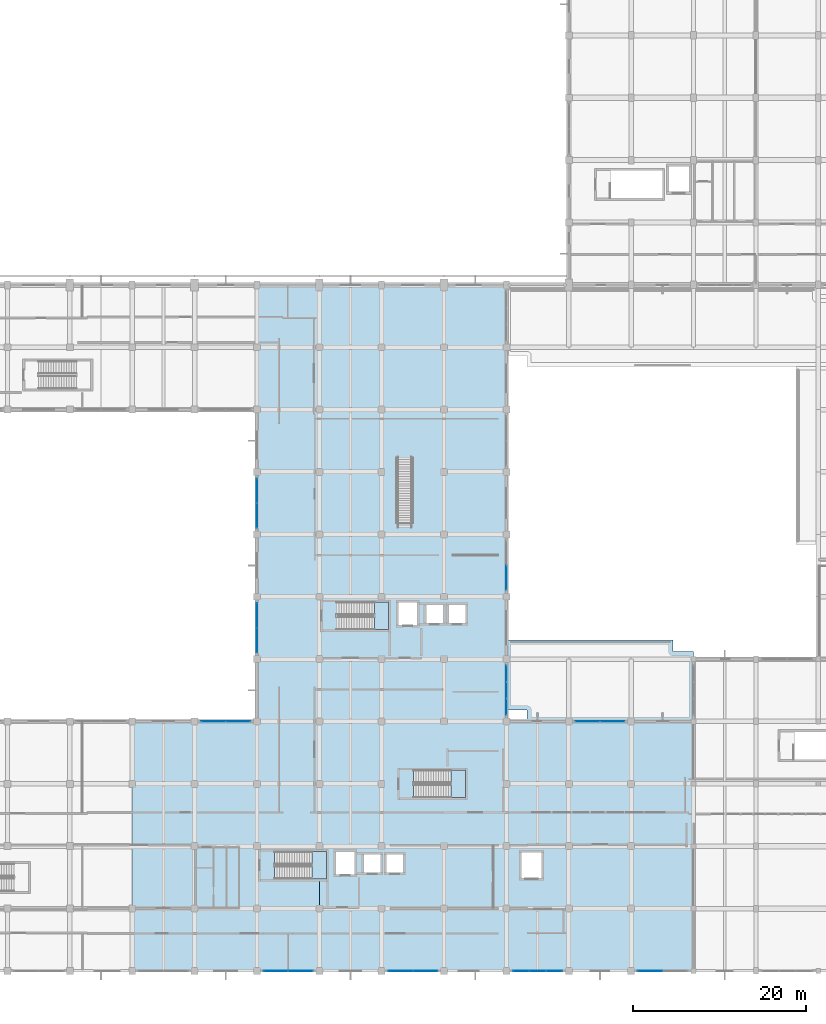
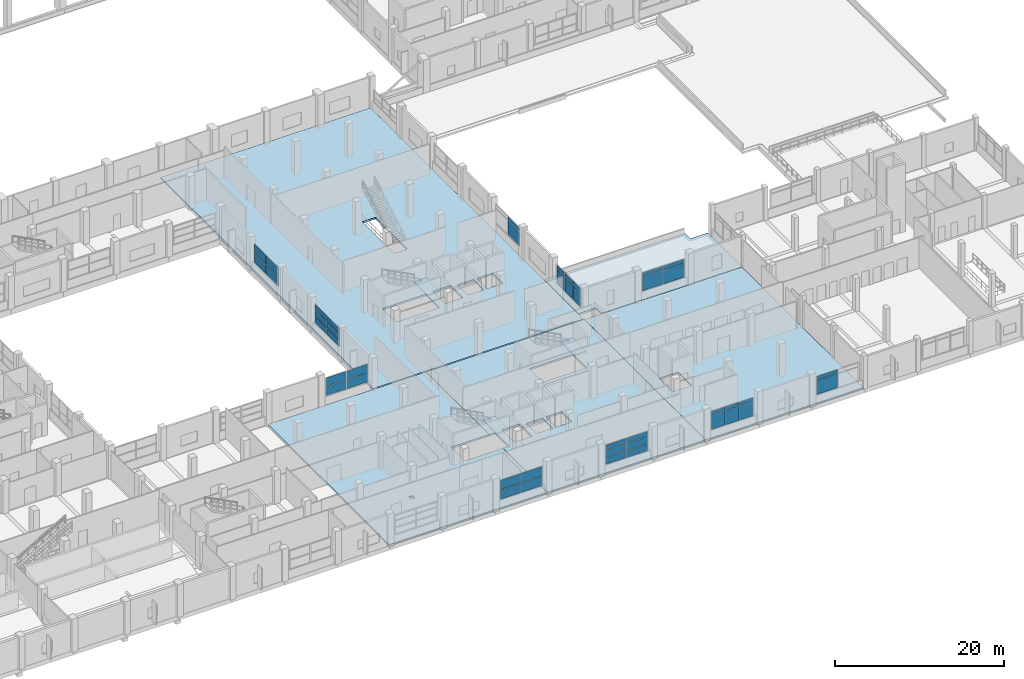
# One storey, part 112 of 140: 44 plates, 8 slabs, 13 elements without a shape of their own.
"""IFC4 building model written with IfcOpenShell, lengths in metres."""

from ifc_helpers import new_model, si_unit, direction, frame, origin, origin_2d, place, context, subcontext, project, spatial, polyline, rectangle, outline, extrude, material, layer, layer_set, type_object, element, aggregate, save


model = new_model("IFC4")

# Units and contexts
model_context = context("Model", 3, precision=1e-05, world=origin(), true_north=direction((0.0, 1.0)))
body_context = subcontext(model_context, "Body", "Model", "MODEL_VIEW")
ifc_project = project(units=[si_unit("LENGTHUNIT", "METRE"), si_unit("AREAUNIT", "SQUARE_METRE"), si_unit("VOLUMEUNIT", "CUBIC_METRE"), si_unit("PLANEANGLEUNIT", "RADIAN"), si_unit("MASSUNIT", "GRAM", prefix="KILO")], contexts=[model_context])

# Site, building, storey
site_placement = place(None, origin())
site = spatial("IfcSite", under=ifc_project, at=site_placement, CompositionType="ELEMENT")
building_placement = place(site_placement, origin())
building = spatial("IfcBuilding", under=site, at=building_placement, Name="Seraya Terrace Polytechnic", CompositionType="ELEMENT")
storey_placement = place(building_placement, frame((0.0, 0.0, 9.60009765625)))
storey = spatial("IfcBuildingStorey", under=building, at=storey_placement, Name="L02", CompositionType="ELEMENT", Elevation=9.60009765625)

# Curtain wall, plates
ifc_material_1 = material(Name="Anodised aluminium EN AW-6063 T6", Category="aluminium")
ifc_layer_1 = layer(ifc_material_1, 0.179931640625, Name="CW-25")
ifc_layer_set_1 = layer_set([ifc_layer_1], Name="Anodised aluminium EN AW-6063 T6")
curtain_wall_type_1 = type_object("IfcCurtainWallType", Name="CW-25", PredefinedType="NOTDEFINED", material=ifc_layer_set_1)
curtain_wall_1_placement = place(storey_placement, origin())
curtain_wall_1 = element("IfcCurtainWall", 1, at=curtain_wall_1_placement, inside=storey, type_object=curtain_wall_type_1, Name="Unitised curtain wall CW-25 (CW-L02-061)", PredefinedType="NOTDEFINED")
ifc_material_2 = material(Name="Laminated solar-control Low-E double glazing", Category="glass")
ifc_layer_2 = layer(ifc_material_2, 0.028076171875, Name="CWP-01")
ifc_layer_set_2 = layer_set([ifc_layer_2], Name="Laminated solar-control Low-E double glazing")
plate_type_1 = type_object("IfcPlateType", Name="CWP-01", PredefinedType="CURTAIN_PANEL", material=ifc_layer_set_2)
plate_1_placement = place(storey_placement, frame((108.0, 45.376220703125, 1.2998046875), z_axis=(0.0, 0.0, 1.0), x_axis=(0.0, -1.0, 0.0)))
plate_1 = element("IfcPlate", 2, at=plate_1_placement, type_object=plate_type_1, Name="CW-25 panel 2.1", PredefinedType="CURTAIN_PANEL", context=body_context, shape_type="SweptSolid", body=[
    extrude(rectangle(XDim=2.782470703125, YDim=0.028076171875, at=origin_2d()), origin(), (0.0, 0.0, 1.0), 2.06005859375),
])
plate_2_placement = place(storey_placement, frame((108.0, 45.376220703125, 3.419921875), z_axis=(0.0, 0.0, 1.0), x_axis=(0.0, -1.0, 0.0)))
plate_2 = element("IfcPlate", 3, at=plate_2_placement, type_object=plate_type_1, Name="CW-25 panel 2.2", PredefinedType="CURTAIN_PANEL", context=body_context, shape_type="SweptSolid", body=[
    extrude(rectangle(XDim=2.782470703125, YDim=0.028076171875, at=origin_2d()), origin(), (0.0, 0.0, 1.0), 0.530029296875),
])
aggregate(curtain_wall_1, [plate_1, plate_2])

ifc_layer_3 = layer(ifc_material_1, 0.179931640625, Name="CW-01")
ifc_layer_set_3 = layer_set([ifc_layer_3], Name="Anodised aluminium EN AW-6063 T6")
curtain_wall_type_2 = type_object("IfcCurtainWallType", Name="CW-01", PredefinedType="NOTDEFINED", material=ifc_layer_set_3)
curtain_wall_2_placement = place(storey_placement, origin())
curtain_wall_2 = element("IfcCurtainWall", 4, at=curtain_wall_2_placement, inside=storey, type_object=curtain_wall_type_2, Name="Unitised curtain wall CW-01 (CW-L02-073)", PredefinedType="NOTDEFINED")
plate_3_placement = place(storey_placement, frame((98.623779296875, 0.0, 1.2998046875), z_axis=(0.0, 0.0, 1.0), x_axis=(-1.0, 0.0, 0.0)))
plate_3 = element("IfcPlate", 5, at=plate_3_placement, type_object=plate_type_1, Name="CW-01 panel 1.1", PredefinedType="CURTAIN_PANEL", context=body_context, shape_type="SweptSolid", body=[
    extrude(rectangle(XDim=2.782470703125, YDim=0.028076171875, at=origin_2d()), origin(), (0.0, 0.0, 1.0), 0.943115234375),
])
plate_4_placement = place(storey_placement, frame((98.623779296875, 0.0, 2.30322265625), z_axis=(0.0, 0.0, 1.0), x_axis=(-1.0, 0.0, 0.0)))
plate_4 = element("IfcPlate", 6, at=plate_4_placement, type_object=plate_type_1, Name="CW-01 panel 1.2", PredefinedType="CURTAIN_PANEL", context=body_context, shape_type="SweptSolid", body=[
    extrude(rectangle(XDim=2.782470703125, YDim=0.028076171875, at=origin_2d()), origin(), (0.0, 0.0, 1.0), 0.97314453125),
])
plate_5_placement = place(storey_placement, frame((98.623779296875, 0.0, 3.33642578125), z_axis=(0.0, 0.0, 1.0), x_axis=(-1.0, 0.0, 0.0)))
plate_5 = element("IfcPlate", 7, at=plate_5_placement, type_object=plate_type_1, Name="CW-01 panel 1.3", PredefinedType="CURTAIN_PANEL", context=body_context, shape_type="SweptSolid", body=[
    extrude(rectangle(XDim=2.782470703125, YDim=0.028076171875, at=origin_2d()), origin(), (0.0, 0.0, 1.0), 0.713623046875),
])
plate_6_placement = place(storey_placement, frame((95.7763671875, 0.0, 1.2998046875), z_axis=(0.0, 0.0, 1.0), x_axis=(-1.0, 0.0, 0.0)))
plate_6 = element("IfcPlate", 8, at=plate_6_placement, type_object=plate_type_1, Name="CW-01 panel 2.1", PredefinedType="CURTAIN_PANEL", context=body_context, shape_type="SweptSolid", body=[
    extrude(rectangle(XDim=2.782470703125, YDim=0.028076171875, at=origin_2d()), origin(), (0.0, 0.0, 1.0), 0.943115234375),
])
plate_7_placement = place(storey_placement, frame((95.7763671875, 0.0, 2.30322265625), z_axis=(0.0, 0.0, 1.0), x_axis=(-1.0, 0.0, 0.0)))
plate_7 = element("IfcPlate", 9, at=plate_7_placement, type_object=plate_type_1, Name="CW-01 panel 2.2", PredefinedType="CURTAIN_PANEL", context=body_context, shape_type="SweptSolid", body=[
    extrude(rectangle(XDim=2.782470703125, YDim=0.028076171875, at=origin_2d()), origin(), (0.0, 0.0, 1.0), 0.97314453125),
])
plate_8_placement = place(storey_placement, frame((95.7763671875, 0.0, 3.33642578125), z_axis=(0.0, 0.0, 1.0), x_axis=(-1.0, 0.0, 0.0)))
plate_8 = element("IfcPlate", 10, at=plate_8_placement, type_object=plate_type_1, Name="CW-01 panel 2.3", PredefinedType="CURTAIN_PANEL", context=body_context, shape_type="SweptSolid", body=[
    extrude(rectangle(XDim=2.782470703125, YDim=0.028076171875, at=origin_2d()), origin(), (0.0, 0.0, 1.0), 0.713623046875),
])
aggregate(curtain_wall_2, [plate_3, plate_4, plate_5, plate_6, plate_7, plate_8])

ifc_layer_4 = layer(ifc_material_1, 0.179931640625, Name="CW-10")
ifc_layer_set_4 = layer_set([ifc_layer_4], Name="Anodised aluminium EN AW-6063 T6")
curtain_wall_type_3 = type_object("IfcCurtainWallType", Name="CW-10", PredefinedType="NOTDEFINED", material=ifc_layer_set_4)
curtain_wall_3_placement = place(storey_placement, origin())
curtain_wall_3 = element("IfcCurtainWall", 11, at=curtain_wall_3_placement, inside=storey, type_object=curtain_wall_type_3, Name="Unitised curtain wall CW-10 (CW-L02-082)", PredefinedType="NOTDEFINED")
plate_9_placement = place(storey_placement, frame((79.199951171875, 52.576171875, 1.2998046875), z_axis=(0.0, 0.0, 1.0), x_axis=(0.0, 1.0, 0.0)))
plate_9 = element("IfcPlate", 12, at=plate_9_placement, type_object=plate_type_1, Name="CW-10 panel 1.1", PredefinedType="CURTAIN_PANEL", context=body_context, shape_type="SweptSolid", body=[
    extrude(rectangle(XDim=2.782470703125, YDim=0.028076171875, at=origin_2d()), origin(), (0.0, 0.0, 1.0), 1.2900390625),
])
plate_10_placement = place(storey_placement, frame((79.199951171875, 52.576171875, 2.64990234375), z_axis=(0.0, 0.0, 1.0), x_axis=(0.0, 1.0, 0.0)))
plate_10 = element("IfcPlate", 13, at=plate_10_placement, type_object=plate_type_1, Name="CW-10 panel 1.2", PredefinedType="CURTAIN_PANEL", context=body_context, shape_type="SweptSolid", body=[
    extrude(rectangle(XDim=2.782470703125, YDim=0.028076171875, at=origin_2d()), origin(), (0.0, 0.0, 1.0), 1.2900390625),
])
plate_11_placement = place(storey_placement, frame((79.199951171875, 55.423828125, 1.2998046875), z_axis=(0.0, 0.0, 1.0), x_axis=(0.0, 1.0, 0.0)))
plate_11 = element("IfcPlate", 14, at=plate_11_placement, type_object=plate_type_1, Name="CW-10 panel 2.1", PredefinedType="CURTAIN_PANEL", context=body_context, shape_type="SweptSolid", body=[
    extrude(rectangle(XDim=2.782470703125, YDim=0.028076171875, at=origin_2d()), origin(), (0.0, 0.0, 1.0), 1.2900390625),
])
plate_12_placement = place(storey_placement, frame((79.199951171875, 55.423828125, 2.64990234375), z_axis=(0.0, 0.0, 1.0), x_axis=(0.0, 1.0, 0.0)))
plate_12 = element("IfcPlate", 15, at=plate_12_placement, type_object=plate_type_1, Name="CW-10 panel 2.2", PredefinedType="CURTAIN_PANEL", context=body_context, shape_type="SweptSolid", body=[
    extrude(rectangle(XDim=2.782470703125, YDim=0.028076171875, at=origin_2d()), origin(), (0.0, 0.0, 1.0), 1.2900390625),
])
aggregate(curtain_wall_3, [plate_9, plate_10, plate_11, plate_12])

ifc_layer_5 = layer(ifc_material_1, 0.179931640625, Name="CW-26")
ifc_layer_set_5 = layer_set([ifc_layer_5], Name="Anodised aluminium EN AW-6063 T6")
curtain_wall_type_4 = type_object("IfcCurtainWallType", Name="CW-26", PredefinedType="NOTDEFINED", material=ifc_layer_set_5)
curtain_wall_4_placement = place(storey_placement, origin())
curtain_wall_4 = element("IfcCurtainWall", 16, at=curtain_wall_4_placement, inside=storey, type_object=curtain_wall_type_4, Name="Unitised curtain wall CW-26 (CW-L02-062)", PredefinedType="NOTDEFINED")
ifc_layer_6 = layer(ifc_material_2, 0.031982421875, Name="CWP-02")
ifc_layer_set_6 = layer_set([ifc_layer_6], Name="Laminated solar-control Low-E double glazing")
plate_type_2 = type_object("IfcPlateType", Name="CWP-02", PredefinedType="CURTAIN_PANEL", material=ifc_layer_set_6)
plate_13_placement = place(storey_placement, frame((108.0, 34.304931640625, 1.2998046875), z_axis=(0.0, 0.0, 1.0), x_axis=(0.0, -1.0, 0.0)))
plate_13 = element("IfcPlate", 17, at=plate_13_placement, type_object=plate_type_2, Name="CW-26 panel 1.1", PredefinedType="CURTAIN_PANEL", context=body_context, shape_type="SweptSolid", body=[
    extrude(rectangle(XDim=1.830078125, YDim=0.031982421875, at=origin_2d()), origin(), (0.0, 0.0, 1.0), 2.06005859375),
])
plate_14_placement = place(storey_placement, frame((108.0, 34.304931640625, 3.419921875), z_axis=(0.0, 0.0, 1.0), x_axis=(0.0, -1.0, 0.0)))
plate_14 = element("IfcPlate", 18, at=plate_14_placement, type_object=plate_type_2, Name="CW-26 panel 1.2", PredefinedType="CURTAIN_PANEL", context=body_context, shape_type="SweptSolid", body=[
    extrude(rectangle(XDim=1.830078125, YDim=0.031982421875, at=origin_2d()), origin(), (0.0, 0.0, 1.0), 0.530029296875),
])
plate_15_placement = place(storey_placement, frame((108.0, 32.39990234375, 1.2998046875), z_axis=(0.0, 0.0, 1.0), x_axis=(0.0, -1.0, 0.0)))
plate_15 = element("IfcPlate", 19, at=plate_15_placement, type_object=plate_type_2, Name="CW-26 panel 2.1", PredefinedType="CURTAIN_PANEL", context=body_context, shape_type="SweptSolid", body=[
    extrude(rectangle(XDim=1.860107421875, YDim=0.031982421875, at=origin_2d()), origin(), (0.0, 0.0, 1.0), 2.06005859375),
])
plate_16_placement = place(storey_placement, frame((108.0, 32.39990234375, 3.419921875), z_axis=(0.0, 0.0, 1.0), x_axis=(0.0, -1.0, 0.0)))
plate_16 = element("IfcPlate", 20, at=plate_16_placement, type_object=plate_type_2, Name="CW-26 panel 2.2", PredefinedType="CURTAIN_PANEL", context=body_context, shape_type="SweptSolid", body=[
    extrude(rectangle(XDim=1.860107421875, YDim=0.031982421875, at=origin_2d()), origin(), (0.0, 0.0, 1.0), 0.530029296875),
])
plate_17_placement = place(storey_placement, frame((108.0, 30.4951171875, 1.2998046875), z_axis=(0.0, 0.0, 1.0), x_axis=(0.0, -1.0, 0.0)))
plate_17 = element("IfcPlate", 21, at=plate_17_placement, type_object=plate_type_2, Name="CW-26 panel 3.1", PredefinedType="CURTAIN_PANEL", context=body_context, shape_type="SweptSolid", body=[
    extrude(rectangle(XDim=1.830078125, YDim=0.031982421875, at=origin_2d()), origin(), (0.0, 0.0, 1.0), 2.06005859375),
])
plate_18_placement = place(storey_placement, frame((108.0, 30.4951171875, 3.419921875), z_axis=(0.0, 0.0, 1.0), x_axis=(0.0, -1.0, 0.0)))
plate_18 = element("IfcPlate", 22, at=plate_18_placement, type_object=plate_type_2, Name="CW-26 panel 3.2", PredefinedType="CURTAIN_PANEL", context=body_context, shape_type="SweptSolid", body=[
    extrude(rectangle(XDim=1.830078125, YDim=0.031982421875, at=origin_2d()), origin(), (0.0, 0.0, 1.0), 0.530029296875),
])
aggregate(curtain_wall_4, [plate_13, plate_14, plate_15, plate_16, plate_17, plate_18])

ifc_layer_7 = layer(ifc_material_1, 0.179931640625, Name="CW-35")
ifc_layer_set_7 = layer_set([ifc_layer_7], Name="Anodised aluminium EN AW-6063 T6")
curtain_wall_type_5 = type_object("IfcCurtainWallType", Name="CW-35", PredefinedType="NOTDEFINED", material=ifc_layer_set_7)
curtain_wall_5_placement = place(storey_placement, origin())
curtain_wall_5 = element("IfcCurtainWall", 23, at=curtain_wall_5_placement, inside=storey, type_object=curtain_wall_type_5, Name="Unitised curtain wall CW-35 (CW-L02-071)", PredefinedType="NOTDEFINED")
plate_19_placement = place(storey_placement, frame((124.574951171875, 0.0, 1.2998046875), z_axis=(0.0, 0.0, 1.0), x_axis=(-1.0, 0.0, 0.0)))
plate_19 = element("IfcPlate", 24, at=plate_19_placement, type_object=plate_type_2, Name="CW-35 panel 2.1", PredefinedType="CURTAIN_PANEL", context=body_context, shape_type="SweptSolid", body=[
    extrude(rectangle(XDim=2.7900390625, YDim=0.031982421875, at=origin_2d()), origin(), (0.0, 0.0, 1.0), 2.010009765625),
])
plate_20_placement = place(storey_placement, frame((124.574951171875, 0.0, 3.3701171875), z_axis=(0.0, 0.0, 1.0), x_axis=(-1.0, 0.0, 0.0)))
plate_20 = element("IfcPlate", 25, at=plate_20_placement, type_object=plate_type_2, Name="CW-35 panel 2.2", PredefinedType="CURTAIN_PANEL", context=body_context, shape_type="SweptSolid", body=[
    extrude(rectangle(XDim=2.7900390625, YDim=0.031982421875, at=origin_2d()), origin(), (0.0, 0.0, 1.0), 0.530029296875),
])
aggregate(curtain_wall_5, [plate_19, plate_20])

ifc_layer_8 = layer(ifc_material_1, 0.179931640625, Name="CW-02")
ifc_layer_set_8 = layer_set([ifc_layer_8], Name="Anodised aluminium EN AW-6063 T6")
curtain_wall_type_6 = type_object("IfcCurtainWallType", Name="CW-02", PredefinedType="NOTDEFINED", material=ifc_layer_set_8)
curtain_wall_6_placement = place(storey_placement, origin())
curtain_wall_6 = element("IfcCurtainWall", 26, at=curtain_wall_6_placement, inside=storey, type_object=curtain_wall_type_6, Name="Unitised curtain wall CW-02 (CW-L02-074)", PredefinedType="NOTDEFINED")
plate_21_placement = place(storey_placement, frame((84.22509765625, 0.0, 1.2998046875), z_axis=(0.0, 0.0, 1.0), x_axis=(-1.0, 0.0, 0.0)))
plate_21 = element("IfcPlate", 27, at=plate_21_placement, type_object=plate_type_2, Name="CW-02 panel 1.1", PredefinedType="CURTAIN_PANEL", context=body_context, shape_type="SweptSolid", body=[
    extrude(rectangle(XDim=2.7900390625, YDim=0.031982421875, at=origin_2d()), origin(), (0.0, 0.0, 1.0), 1.330078125),
])
plate_22_placement = place(storey_placement, frame((84.22509765625, 0.0, 2.68994140625), z_axis=(0.0, 0.0, 1.0), x_axis=(-1.0, 0.0, 0.0)))
plate_22 = element("IfcPlate", 28, at=plate_22_placement, type_object=plate_type_2, Name="CW-02 panel 1.2", PredefinedType="CURTAIN_PANEL", context=body_context, shape_type="SweptSolid", body=[
    extrude(rectangle(XDim=2.7900390625, YDim=0.031982421875, at=origin_2d()), origin(), (0.0, 0.0, 1.0), 1.330078125),
])
plate_23_placement = place(storey_placement, frame((81.375, 0.0, 1.2998046875), z_axis=(0.0, 0.0, 1.0), x_axis=(-1.0, 0.0, 0.0)))
plate_23 = element("IfcPlate", 29, at=plate_23_placement, type_object=plate_type_2, Name="CW-02 panel 2.1", PredefinedType="CURTAIN_PANEL", context=body_context, shape_type="SweptSolid", body=[
    extrude(rectangle(XDim=2.7900390625, YDim=0.031982421875, at=origin_2d()), origin(), (0.0, 0.0, 1.0), 1.330078125),
])
plate_24_placement = place(storey_placement, frame((81.375, 0.0, 2.68994140625), z_axis=(0.0, 0.0, 1.0), x_axis=(-1.0, 0.0, 0.0)))
plate_24 = element("IfcPlate", 30, at=plate_24_placement, type_object=plate_type_2, Name="CW-02 panel 2.2", PredefinedType="CURTAIN_PANEL", context=body_context, shape_type="SweptSolid", body=[
    extrude(rectangle(XDim=2.7900390625, YDim=0.031982421875, at=origin_2d()), origin(), (0.0, 0.0, 1.0), 1.330078125),
])
aggregate(curtain_wall_6, [plate_21, plate_22, plate_23, plate_24])

ifc_layer_9 = layer(ifc_material_1, 0.179931640625, Name="CW-08")
ifc_layer_set_9 = layer_set([ifc_layer_9], Name="Anodised aluminium EN AW-6063 T6")
curtain_wall_type_7 = type_object("IfcCurtainWallType", Name="CW-08", PredefinedType="NOTDEFINED", material=ifc_layer_set_9)
curtain_wall_7_placement = place(storey_placement, origin())
curtain_wall_7 = element("IfcCurtainWall", 31, at=curtain_wall_7_placement, inside=storey, type_object=curtain_wall_type_7, Name="Unitised curtain wall CW-08 (CW-L02-080)", PredefinedType="NOTDEFINED")
plate_25_placement = place(storey_placement, frame((74.175048828125, 28.800048828125, 1.2998046875), z_axis=(0.0, 0.0, 1.0), x_axis=(1.0, 0.0, 0.0)))
plate_25 = element("IfcPlate", 32, at=plate_25_placement, type_object=plate_type_2, Name="CW-08 panel 1.1", PredefinedType="CURTAIN_PANEL", context=body_context, shape_type="SweptSolid", body=[
    extrude(rectangle(XDim=2.7900390625, YDim=0.031982421875, at=origin_2d()), origin(), (0.0, 0.0, 1.0), 1.2451171875),
])
plate_26_placement = place(storey_placement, frame((74.175048828125, 28.800048828125, 2.604736328125), z_axis=(0.0, 0.0, 1.0), x_axis=(1.0, 0.0, 0.0)))
plate_26 = element("IfcPlate", 33, at=plate_26_placement, type_object=plate_type_2, Name="CW-08 panel 1.2", PredefinedType="CURTAIN_PANEL", context=body_context, shape_type="SweptSolid", body=[
    extrude(rectangle(XDim=2.7900390625, YDim=0.031982421875, at=origin_2d()), origin(), (0.0, 0.0, 1.0), 1.2451171875),
])
plate_27_placement = place(storey_placement, frame((77.02490234375, 28.800048828125, 1.2998046875), z_axis=(0.0, 0.0, 1.0), x_axis=(1.0, 0.0, 0.0)))
plate_27 = element("IfcPlate", 34, at=plate_27_placement, type_object=plate_type_2, Name="CW-08 panel 2.1", PredefinedType="CURTAIN_PANEL", context=body_context, shape_type="SweptSolid", body=[
    extrude(rectangle(XDim=2.7900390625, YDim=0.031982421875, at=origin_2d()), origin(), (0.0, 0.0, 1.0), 1.2451171875),
])
plate_28_placement = place(storey_placement, frame((77.02490234375, 28.800048828125, 2.604736328125), z_axis=(0.0, 0.0, 1.0), x_axis=(1.0, 0.0, 0.0)))
plate_28 = element("IfcPlate", 35, at=plate_28_placement, type_object=plate_type_2, Name="CW-08 panel 2.2", PredefinedType="CURTAIN_PANEL", context=body_context, shape_type="SweptSolid", body=[
    extrude(rectangle(XDim=2.7900390625, YDim=0.031982421875, at=origin_2d()), origin(), (0.0, 0.0, 1.0), 1.2451171875),
])
aggregate(curtain_wall_7, [plate_25, plate_26, plate_27, plate_28])

ifc_layer_10 = layer(ifc_material_1, 0.179931640625, Name="CW-27")
ifc_layer_set_10 = layer_set([ifc_layer_10], Name="Anodised aluminium EN AW-6063 T6")
curtain_wall_type_8 = type_object("IfcCurtainWallType", Name="CW-27", PredefinedType="NOTDEFINED", material=ifc_layer_set_10)
curtain_wall_8_placement = place(storey_placement, origin())
curtain_wall_8 = element("IfcCurtainWall", 36, at=curtain_wall_8_placement, inside=storey, type_object=curtain_wall_type_8, Name="Unitised curtain wall CW-27 (CW-L02-063)", PredefinedType="NOTDEFINED")
ifc_layer_11 = layer(ifc_material_2, 0.035888671875, Name="CWP-03")
ifc_layer_set_11 = layer_set([ifc_layer_11], Name="Laminated solar-control Low-E double glazing")
plate_type_3 = type_object("IfcPlateType", Name="CWP-03", PredefinedType="CURTAIN_PANEL", material=ifc_layer_set_11)
plate_29_placement = place(storey_placement, frame((117.375, 28.800048828125, 1.294921875), z_axis=(0.0, 0.0, 1.0), x_axis=(1.0, 0.0, 0.0)))
plate_29 = element("IfcPlate", 37, at=plate_29_placement, type_object=plate_type_3, Name="CW-27 panel 1.1", PredefinedType="CURTAIN_PANEL", context=body_context, shape_type="SweptSolid", body=[
    extrude(rectangle(XDim=2.7900390625, YDim=0.035888671875, at=origin_2d()), origin(), (0.0, 0.0, 1.0), 1.967529296875),
])
plate_30_placement = place(storey_placement, frame((117.375, 28.800048828125, 3.3173828125), z_axis=(0.0, 0.0, 1.0), x_axis=(1.0, 0.0, 0.0)))
plate_30 = element("IfcPlate", 38, at=plate_30_placement, type_object=plate_type_3, Name="CW-27 panel 1.2", PredefinedType="CURTAIN_PANEL", context=body_context, shape_type="SweptSolid", body=[
    extrude(rectangle(XDim=2.7900390625, YDim=0.035888671875, at=origin_2d()), origin(), (0.0, 0.0, 1.0), 0.53759765625),
])
plate_31_placement = place(storey_placement, frame((120.22509765625, 28.800048828125, 1.294921875), z_axis=(0.0, 0.0, 1.0), x_axis=(1.0, 0.0, 0.0)))
plate_31 = element("IfcPlate", 39, at=plate_31_placement, type_object=plate_type_3, Name="CW-27 panel 2.1", PredefinedType="CURTAIN_PANEL", context=body_context, shape_type="SweptSolid", body=[
    extrude(rectangle(XDim=2.7900390625, YDim=0.035888671875, at=origin_2d()), origin(), (0.0, 0.0, 1.0), 1.967529296875),
])
plate_32_placement = place(storey_placement, frame((120.22509765625, 28.800048828125, 3.3173828125), z_axis=(0.0, 0.0, 1.0), x_axis=(1.0, 0.0, 0.0)))
plate_32 = element("IfcPlate", 40, at=plate_32_placement, type_object=plate_type_3, Name="CW-27 panel 2.2", PredefinedType="CURTAIN_PANEL", context=body_context, shape_type="SweptSolid", body=[
    extrude(rectangle(XDim=2.7900390625, YDim=0.035888671875, at=origin_2d()), origin(), (0.0, 0.0, 1.0), 0.53759765625),
])
aggregate(curtain_wall_8, [plate_29, plate_30, plate_31, plate_32])

ifc_layer_12 = layer(ifc_material_1, 0.179931640625, Name="CW-36")
ifc_layer_set_12 = layer_set([ifc_layer_12], Name="Anodised aluminium EN AW-6063 T6")
curtain_wall_type_9 = type_object("IfcCurtainWallType", Name="CW-36", PredefinedType="NOTDEFINED", material=ifc_layer_set_12)
curtain_wall_9_placement = place(storey_placement, origin())
curtain_wall_9 = element("IfcCurtainWall", 41, at=curtain_wall_9_placement, inside=storey, type_object=curtain_wall_type_9, Name="Unitised curtain wall CW-36 (CW-L02-072)", PredefinedType="NOTDEFINED")
plate_33_placement = place(storey_placement, frame((113.5048828125, 0.0, 1.294921875), z_axis=(0.0, 0.0, 1.0), x_axis=(-1.0, 0.0, 0.0)))
plate_33 = element("IfcPlate", 42, at=plate_33_placement, type_object=plate_type_3, Name="CW-36 panel 1.1", PredefinedType="CURTAIN_PANEL", context=body_context, shape_type="SweptSolid", body=[
    extrude(rectangle(XDim=1.830078125, YDim=0.035888671875, at=origin_2d()), origin(), (0.0, 0.0, 1.0), 1.9775390625),
])
plate_34_placement = place(storey_placement, frame((113.5048828125, 0.0, 3.327392578125), z_axis=(0.0, 0.0, 1.0), x_axis=(-1.0, 0.0, 0.0)))
plate_34 = element("IfcPlate", 43, at=plate_34_placement, type_object=plate_type_3, Name="CW-36 panel 1.2", PredefinedType="CURTAIN_PANEL", context=body_context, shape_type="SweptSolid", body=[
    extrude(rectangle(XDim=1.830078125, YDim=0.035888671875, at=origin_2d()), origin(), (0.0, 0.0, 1.0), 0.53759765625),
])
plate_35_placement = place(storey_placement, frame((111.60009765625, 0.0, 1.294921875), z_axis=(0.0, 0.0, 1.0), x_axis=(-1.0, 0.0, 0.0)))
plate_35 = element("IfcPlate", 44, at=plate_35_placement, type_object=plate_type_3, Name="CW-36 panel 2.1", PredefinedType="CURTAIN_PANEL", context=body_context, shape_type="SweptSolid", body=[
    extrude(rectangle(XDim=1.860107421875, YDim=0.035888671875, at=origin_2d()), origin(), (0.0, 0.0, 1.0), 1.9775390625),
])
plate_36_placement = place(storey_placement, frame((111.60009765625, 0.0, 3.327392578125), z_axis=(0.0, 0.0, 1.0), x_axis=(-1.0, 0.0, 0.0)))
plate_36 = element("IfcPlate", 45, at=plate_36_placement, type_object=plate_type_3, Name="CW-36 panel 2.2", PredefinedType="CURTAIN_PANEL", context=body_context, shape_type="SweptSolid", body=[
    extrude(rectangle(XDim=1.860107421875, YDim=0.035888671875, at=origin_2d()), origin(), (0.0, 0.0, 1.0), 0.53759765625),
])
plate_37_placement = place(storey_placement, frame((109.695068359375, 0.0, 1.294921875), z_axis=(0.0, 0.0, 1.0), x_axis=(-1.0, 0.0, 0.0)))
plate_37 = element("IfcPlate", 46, at=plate_37_placement, type_object=plate_type_3, Name="CW-36 panel 3.1", PredefinedType="CURTAIN_PANEL", context=body_context, shape_type="SweptSolid", body=[
    extrude(rectangle(XDim=1.830078125, YDim=0.035888671875, at=origin_2d()), origin(), (0.0, 0.0, 1.0), 1.9775390625),
])
plate_38_placement = place(storey_placement, frame((109.695068359375, 0.0, 3.327392578125), z_axis=(0.0, 0.0, 1.0), x_axis=(-1.0, 0.0, 0.0)))
plate_38 = element("IfcPlate", 47, at=plate_38_placement, type_object=plate_type_3, Name="CW-36 panel 3.2", PredefinedType="CURTAIN_PANEL", context=body_context, shape_type="SweptSolid", body=[
    extrude(rectangle(XDim=1.830078125, YDim=0.035888671875, at=origin_2d()), origin(), (0.0, 0.0, 1.0), 0.53759765625),
])
aggregate(curtain_wall_9, [plate_33, plate_34, plate_35, plate_36, plate_37, plate_38])

ifc_layer_13 = layer(ifc_material_1, 0.179931640625, Name="CW-09")
ifc_layer_set_13 = layer_set([ifc_layer_13], Name="Anodised aluminium EN AW-6063 T6")
curtain_wall_type_10 = type_object("IfcCurtainWallType", Name="CW-09", PredefinedType="NOTDEFINED", material=ifc_layer_set_13)
curtain_wall_10_placement = place(storey_placement, origin())
curtain_wall_10 = element("IfcCurtainWall", 48, at=curtain_wall_10_placement, inside=storey, type_object=curtain_wall_type_10, Name="Unitised curtain wall CW-09 (CW-L02-081)", PredefinedType="NOTDEFINED")
plate_39_placement = place(storey_placement, frame((79.199951171875, 38.175048828125, 1.294921875), z_axis=(0.0, 0.0, 1.0), x_axis=(0.0, 1.0, 0.0)))
plate_39 = element("IfcPlate", 49, at=plate_39_placement, type_object=plate_type_3, Name="CW-09 panel 1.1", PredefinedType="CURTAIN_PANEL", context=body_context, shape_type="SweptSolid", body=[
    extrude(rectangle(XDim=2.7900390625, YDim=0.035888671875, at=origin_2d()), origin(), (0.0, 0.0, 1.0), 0.914794921875),
])
plate_40_placement = place(storey_placement, frame((79.199951171875, 38.175048828125, 2.2646484375), z_axis=(0.0, 0.0, 1.0), x_axis=(0.0, 1.0, 0.0)))
plate_40 = element("IfcPlate", 50, at=plate_40_placement, type_object=plate_type_3, Name="CW-09 panel 1.2", PredefinedType="CURTAIN_PANEL", context=body_context, shape_type="SweptSolid", body=[
    extrude(rectangle(XDim=2.7900390625, YDim=0.035888671875, at=origin_2d()), origin(), (0.0, 0.0, 1.0), 0.942138671875),
])
plate_41_placement = place(storey_placement, frame((79.199951171875, 38.175048828125, 3.26171875), z_axis=(0.0, 0.0, 1.0), x_axis=(0.0, 1.0, 0.0)))
plate_41 = element("IfcPlate", 51, at=plate_41_placement, type_object=plate_type_3, Name="CW-09 panel 1.3", PredefinedType="CURTAIN_PANEL", context=body_context, shape_type="SweptSolid", body=[
    extrude(rectangle(XDim=2.7900390625, YDim=0.035888671875, at=origin_2d()), origin(), (0.0, 0.0, 1.0), 0.693115234375),
])
plate_42_placement = place(storey_placement, frame((79.199951171875, 41.02490234375, 1.294921875), z_axis=(0.0, 0.0, 1.0), x_axis=(0.0, 1.0, 0.0)))
plate_42 = element("IfcPlate", 52, at=plate_42_placement, type_object=plate_type_3, Name="CW-09 panel 2.1", PredefinedType="CURTAIN_PANEL", context=body_context, shape_type="SweptSolid", body=[
    extrude(rectangle(XDim=2.7900390625, YDim=0.035888671875, at=origin_2d()), origin(), (0.0, 0.0, 1.0), 0.914794921875),
])
plate_43_placement = place(storey_placement, frame((79.199951171875, 41.02490234375, 2.2646484375), z_axis=(0.0, 0.0, 1.0), x_axis=(0.0, 1.0, 0.0)))
plate_43 = element("IfcPlate", 53, at=plate_43_placement, type_object=plate_type_3, Name="CW-09 panel 2.2", PredefinedType="CURTAIN_PANEL", context=body_context, shape_type="SweptSolid", body=[
    extrude(rectangle(XDim=2.7900390625, YDim=0.035888671875, at=origin_2d()), origin(), (0.0, 0.0, 1.0), 0.942138671875),
])
plate_44_placement = place(storey_placement, frame((79.199951171875, 41.02490234375, 3.26171875), z_axis=(0.0, 0.0, 1.0), x_axis=(0.0, 1.0, 0.0)))
plate_44 = element("IfcPlate", 54, at=plate_44_placement, type_object=plate_type_3, Name="CW-09 panel 2.3", PredefinedType="CURTAIN_PANEL", context=body_context, shape_type="SweptSolid", body=[
    extrude(rectangle(XDim=2.7900390625, YDim=0.035888671875, at=origin_2d()), origin(), (0.0, 0.0, 1.0), 0.693115234375),
])
aggregate(curtain_wall_10, [plate_39, plate_40, plate_41, plate_42, plate_43, plate_44])

# Slabs
ifc_material_3 = material(Name="Concrete C40/50", Category="concrete")
ifc_layer_14 = layer(ifc_material_3, 0.260009765625, Name="FS-02")
ifc_layer_set_14 = layer_set([ifc_layer_14], Name="Concrete C40/50")
slab_type_1 = type_object("IfcSlabType", Name="FS-02", PredefinedType="FLOOR", material=ifc_layer_set_14)
slab_1_placement = place(storey_placement, frame((0.0, 0.0, -0.260009765625)))
element("IfcSlab", 55, at=slab_1_placement, inside=storey, type_object=slab_type_1, Name="Floor slab SLB-V2-SOUTH-L02-S2 (FS-02)", PredefinedType="FLOOR", context=body_context, shape_type="SweptSolid", body=[
    extrude(outline(polyline([(86.39990234375, 28.739990234375), (86.39990234375, 13.800048828125), (81.239990234375, 13.800048828125), (81.239990234375, 10.60009765625), (86.39990234375, 10.60009765625), (86.39990234375, 0.06005859375), (64.804931640625, 0.06005859375), (64.804931640625, 28.739990234375), (86.39990234375, 28.739990234375)]), holes=[polyline([(71.75, 7.449951171875), (71.75, 6.949951171875), (72.25, 6.949951171875), (72.25, 7.449951171875), (71.75, 7.449951171875)])]), origin(), (0.0, 0.0, 1.0), 0.260009765625),
])
slab_2_placement = place(storey_placement, frame((0.0, 0.0, -0.260009765625)))
element("IfcSlab", 56, at=slab_2_placement, inside=storey, type_object=slab_type_1, Name="Floor slab SLB-V2-SOUTH-L02-S3 (FS-02)", PredefinedType="FLOOR", context=body_context, shape_type="SweptSolid", body=[
    extrude(outline(polyline([(108.0, 28.739990234375), (108.0, 0.06005859375), (86.405029296875, 0.06005859375), (86.405029296875, 10.60009765625), (87.199951171875, 10.60009765625), (87.199951171875, 13.800048828125), (86.405029296875, 13.800048828125), (86.405029296875, 28.739990234375), (108.0, 28.739990234375)]), holes=[polyline([(91.39990234375, 13.60009765625), (91.39990234375, 11.199951171875), (93.60009765625, 11.199951171875), (93.60009765625, 13.60009765625), (91.39990234375, 13.60009765625)]), polyline([(96.199951171875, 13.60009765625), (94.0, 13.60009765625), (94.0, 11.199951171875), (96.199951171875, 11.199951171875), (96.199951171875, 13.60009765625)]), polyline([(90.60009765625, 13.89990234375), (88.199951171875, 13.89990234375), (88.199951171875, 11.0), (90.60009765625, 11.0), (90.60009765625, 13.89990234375)]), polyline([(97.2900390625, 23.199951171875), (97.2900390625, 20.0), (103.25, 20.0), (103.25, 23.199951171875), (97.2900390625, 23.199951171875)])]), origin(), (0.0, 0.0, 1.0), 0.260009765625),
])
slab_3_placement = place(storey_placement, frame((0.0, 0.0, -0.260009765625)))
element("IfcSlab", 57, at=slab_3_placement, inside=storey, type_object=slab_type_1, Name="Floor slab SLB-V2-SOUTH-L02-S4 (FS-02)", PredefinedType="FLOOR", context=body_context, shape_type="SweptSolid", body=[
    extrude(outline(polyline([(129.5400390625, 28.739990234375), (129.5400390625, 0.06005859375), (108.0048828125, 0.06005859375), (108.0048828125, 28.739990234375), (129.5400390625, 28.739990234375)]), holes=[polyline([(112.199951171875, 13.800048828125), (109.60009765625, 13.800048828125), (109.60009765625, 10.60009765625), (112.199951171875, 10.60009765625), (112.199951171875, 13.800048828125)])]), origin(), (0.0, 0.0, 1.0), 0.260009765625),
])
ifc_layer_15 = layer(ifc_material_3, 0.25, Name="FS-03")
ifc_layer_set_15 = layer_set([ifc_layer_15], Name="Concrete C40/50")
slab_type_2 = type_object("IfcSlabType", Name="FS-03", PredefinedType="FLOOR", material=ifc_layer_set_15)
slab_4_placement = place(storey_placement, frame((0.0, 0.0, -0.25)))
element("IfcSlab", 58, at=slab_4_placement, inside=storey, type_object=slab_type_2, Name="Floor slab SLB-V2-SPINE-L02-S1 (FS-03)", PredefinedType="FLOOR", context=body_context, shape_type="SweptSolid", body=[
    extrude(outline(polyline([(79.260009765625, 79.139892578125), (107.93994140625, 79.139892578125), (107.93994140625, 28.860107421875), (79.260009765625, 28.860107421875), (79.260009765625, 79.139892578125)]), holes=[polyline([(88.43994140625, 42.60009765625), (88.43994140625, 39.39990234375), (94.39990234375, 39.39990234375), (94.39990234375, 42.60009765625), (88.43994140625, 42.60009765625)]), polyline([(98.60009765625, 42.39990234375), (98.60009765625, 40.0), (100.800048828125, 40.0), (100.800048828125, 42.39990234375), (98.60009765625, 42.39990234375)]), polyline([(103.39990234375, 42.39990234375), (101.199951171875, 42.39990234375), (101.199951171875, 40.0), (103.39990234375, 40.0), (103.39990234375, 42.39990234375)]), polyline([(97.800048828125, 42.699951171875), (95.39990234375, 42.699951171875), (95.39990234375, 39.800048828125), (97.800048828125, 39.800048828125), (97.800048828125, 42.699951171875)]), polyline([(95.35009765625, 59.280029296875), (95.35009765625, 51.760009765625), (97.1298828125, 51.760009765625), (97.1298828125, 59.280029296875), (95.35009765625, 59.280029296875)])]), origin(), (0.0, 0.0, 1.0), 0.25),
])
ifc_material_4 = material(Name="Precast concrete C40/50", Category="concrete")
ifc_layer_16 = layer(ifc_material_4, 0.25, Name="RS-01")
ifc_layer_set_16 = layer_set([ifc_layer_16], Name="Precast concrete C40/50")
slab_type_3 = type_object("IfcSlabType", Name="RS-01", PredefinedType="ROOF", material=ifc_layer_set_16)
slab_5_placement = place(storey_placement, frame((0.0, 0.0, -0.25)))
element("IfcSlab", 59, at=slab_5_placement, inside=storey, type_object=slab_type_3, Name="Sculpted overhanging precast roof plate ROOF-L02-SELINK", PredefinedType="ROOF", context=body_context, shape_type="SweptSolid", body=[
    extrude(outline(polyline([(110.39990234375, 30.115966796875), (108.0, 30.115966796875), (108.0, 38.199951171875), (127.199951171875, 38.199951171875), (127.199951171875, 36.884033203125), (129.60009765625, 36.884033203125), (129.60009765625, 28.800048828125), (110.39990234375, 28.800048828125), (110.39990234375, 30.115966796875)])), origin(), (0.0, 0.0, 1.0), 0.25),
])

# Stair, slab
stair_type = type_object("IfcStairType", Name="ST-T1", PredefinedType="HALF_TURN_STAIR", material=ifc_material_3)
stair_1_placement = place(storey_placement, origin())
stair_1 = element("IfcStair", 60, at=stair_1_placement, inside=storey, type_object=stair_type, Name="L02 Protected exit stair ST-01", PredefinedType="HALF_TURN_STAIR")
ifc_layer_17 = layer(ifc_material_3, 0.199951171875, Name="SL-01")
ifc_layer_set_17 = layer_set([ifc_layer_17], Name="Concrete C40/50")
slab_type_4 = type_object("IfcSlabType", Name="SL-01", PredefinedType="LANDING", material=ifc_layer_set_17)
slab_6_placement = place(storey_placement, frame((0.0, 0.0, 2.199951171875)))
slab_6 = element("IfcSlab", 61, at=slab_6_placement, type_object=slab_type_4, Name="ST-01 landing 1", PredefinedType="LANDING", context=body_context, shape_type="SweptSolid", body=[
    extrude(outline(polyline([(85.550048828125, 10.60009765625), (87.199951171875, 10.60009765625), (87.199951171875, 13.800048828125), (85.550048828125, 13.800048828125), (85.550048828125, 10.60009765625)])), origin(), (0.0, 0.0, 1.0), 0.199951171875),
])
aggregate(stair_1, [slab_6])

stair_2_placement = place(storey_placement, origin())
stair_2 = element("IfcStair", 62, at=stair_2_placement, inside=storey, type_object=stair_type, Name="L02 Protected exit stair ST-02", PredefinedType="HALF_TURN_STAIR")
slab_7_placement = place(storey_placement, frame((0.0, 0.0, 2.199951171875)))
slab_7 = element("IfcSlab", 63, at=slab_7_placement, type_object=slab_type_4, Name="ST-02 landing 1", PredefinedType="LANDING", context=body_context, shape_type="SweptSolid", body=[
    extrude(outline(polyline([(92.75, 39.39990234375), (94.39990234375, 39.39990234375), (94.39990234375, 42.60009765625), (92.75, 42.60009765625), (92.75, 39.39990234375)])), origin(), (0.0, 0.0, 1.0), 0.199951171875),
])
aggregate(stair_2, [slab_7])

stair_3_placement = place(storey_placement, origin())
stair_3 = element("IfcStair", 64, at=stair_3_placement, inside=storey, type_object=stair_type, Name="L02 Protected exit stair ST-05", PredefinedType="HALF_TURN_STAIR")
slab_8_placement = place(storey_placement, frame((0.0, 0.0, 2.199951171875)))
slab_8 = element("IfcSlab", 65, at=slab_8_placement, type_object=slab_type_4, Name="ST-05 landing 1", PredefinedType="LANDING", context=body_context, shape_type="SweptSolid", body=[
    extrude(outline(polyline([(101.60009765625, 20.0), (103.25, 20.0), (103.25, 23.199951171875), (101.60009765625, 23.199951171875), (101.60009765625, 20.0)])), origin(), (0.0, 0.0, 1.0), 0.199951171875),
])
aggregate(stair_3, [slab_8])

save(model, "model.ifc")
